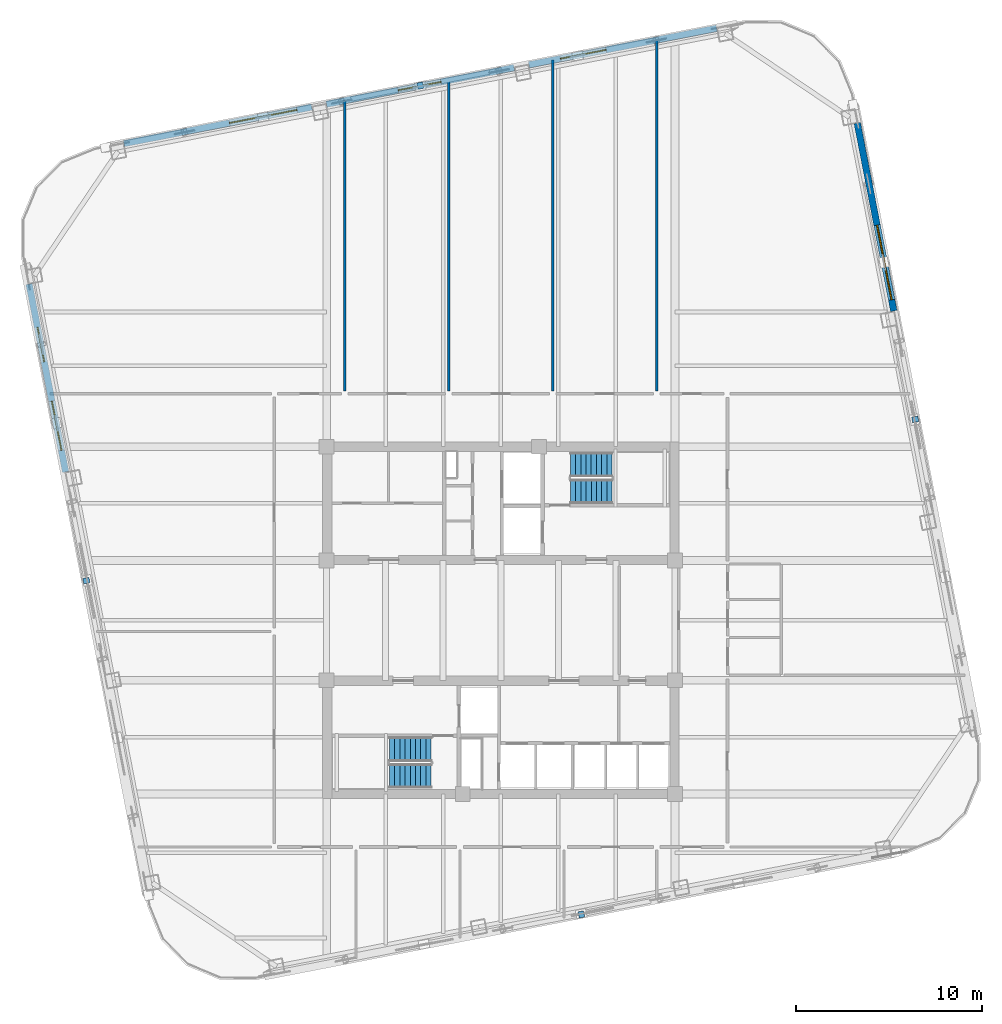
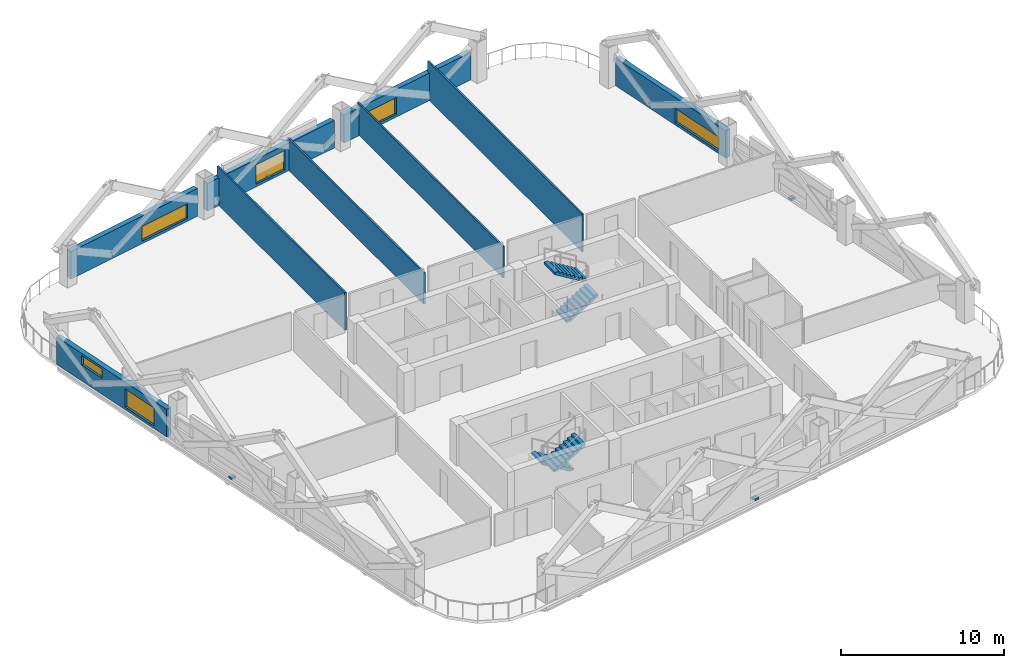
# One storey, part 7 of 10: 9 walls, 6 windows, 4 discrete accessories, 4 stair flights, 6 openings, 2 elements without a shape of their own.
"""IFC4 building model written with IfcOpenShell, lengths in metres."""

import ifcopenshell
import ifcopenshell.guid

model = None  # the IFC model being written
_history = None  # IfcOwnerHistory: only IFC2X3 demands one
_inside = {}  # id of a spatial element -> (the spatial element, [elements in it])
_under = {}  # id of a project, library or spatial element -> (it, [spatial elements below it])
_declared = {}  # id of a project -> (the project, [libraries it declares])
_typed = {}  # id of a type object -> (the type object, [elements of that type])
_made_of = {}  # id of a material, layer set ... -> (it, [elements and type objects made of it])


def new_model(schema):
    """Start an empty IFC model of exactly this schema.

    Asked for "IFC4X3", IfcOpenShell would pick the latest addendum, in which some entities
    have other attributes; the version numbers below select the first issue.
    IFC2X3 requires an IfcOwnerHistory on every rooted entity: one is made here for all.
    """
    global model, _history
    if schema == "IFC4X3":
        model = ifcopenshell.file(schema_version=(4, 3, 0, 0))
    else:
        model = ifcopenshell.file(schema=schema)
    _inside.clear()
    _under.clear()
    _declared.clear()
    _typed.clear()
    _made_of.clear()
    _history = None
    if model.schema == "IFC2X3":
        org = make("IfcOrganization", Name="unknown")
        user = make(
            "IfcPersonAndOrganization",
            ThePerson=make("IfcPerson", FamilyName="unknown"),
            TheOrganization=org,
        )
        app = make(
            "IfcApplication",
            ApplicationDeveloper=org,
            Version="unknown",
            ApplicationFullName="unknown",
            ApplicationIdentifier="unknown",
        )
        _history = make(
            "IfcOwnerHistory",
            OwningUser=user,
            OwningApplication=app,
            ChangeAction="ADDED",
            CreationDate=0,
        )
    return model


def make(cls, **values):
    """One entity of the class cls with the attributes given. An attribute that is None is left unset."""
    return model.create_entity(
        cls, **{name: value for name, value in values.items() if value is not None}
    )


def rooted(cls, **values):
    """An entity with a GlobalId (a new one), such as an element, a storey or a relation."""
    return make(cls, GlobalId=ifcopenshell.guid.new(), OwnerHistory=_history, **values)


def si_unit(unit_type, name, prefix=None):
    """IfcSIUnit, for example si_unit("LENGTHUNIT", "METRE", prefix="MILLI")."""
    return make("IfcSIUnit", UnitType=unit_type, Prefix=prefix, Name=name)


def assignment(units):
    """IfcUnitAssignment: the units of a project."""
    return None if units is None else make("IfcUnitAssignment", Units=units)


def point(xyz):
    """IfcCartesianPoint."""
    return None if xyz is None else make("IfcCartesianPoint", Coordinates=xyz)


def direction(xyz):
    """IfcDirection."""
    return None if xyz is None else make("IfcDirection", DirectionRatios=xyz)


def frame(location, z_axis=None, x_axis=None):
    """IfcAxis2Placement3D, a coordinate frame: its origin and axes. An axis left out is left unset."""
    return make(
        "IfcAxis2Placement3D",
        Location=point(location),
        Axis=direction(z_axis),
        RefDirection=direction(x_axis),
    )


def frame_2d(location, x_axis=None):
    """IfcAxis2Placement2D, a coordinate frame in the plane: its origin and x axis."""
    return make(
        "IfcAxis2Placement2D", Location=point(location), RefDirection=direction(x_axis)
    )


def origin():
    """The frame at (0, 0, 0) with its axes left unset."""
    return frame((0.0, 0.0, 0.0))


def origin_2d():
    """The frame at (0, 0) in the plane with its x axis left unset."""
    return frame_2d((0.0, 0.0))


def place(relative_to, where):
    """IfcLocalPlacement: puts the frame where relative to a parent placement (None: the world)."""
    return make(
        "IfcLocalPlacement", PlacementRelTo=relative_to, RelativePlacement=where
    )


def context(
    kind, dimensions, precision=None, world=None, true_north=None, identifier=None
):
    """IfcGeometricRepresentationContext, for example the 3D "Model" context."""
    return make(
        "IfcGeometricRepresentationContext",
        ContextIdentifier=identifier,
        ContextType=kind,
        CoordinateSpaceDimension=dimensions,
        Precision=precision,
        WorldCoordinateSystem=world,
        TrueNorth=true_north,
    )


def subcontext(parent, identifier, kind, view, scale=None):
    """IfcGeometricRepresentationSubContext, for example "Body" below "Model"."""
    return make(
        "IfcGeometricRepresentationSubContext",
        ContextIdentifier=identifier,
        ContextType=kind,
        ParentContext=parent,
        TargetScale=scale,
        TargetView=view,
    )


def project(units=None, contexts=None):
    """IfcProject with its units and contexts."""
    return rooted(
        "IfcProject",
        Name="project",
        RepresentationContexts=contexts,
        UnitsInContext=assignment(units),
    )


def spatial(cls, under=None, at=None, **own):
    """A site, building, storey or space (cls), placed at a placement, below another one or the project."""
    s = rooted(cls, ObjectPlacement=at, **own)
    if under is not None:
        _under.setdefault(under.id(), (under, []))[1].append(s)
    return s


def polyline(points):
    """IfcPolyline through the points."""
    return make("IfcPolyline", Points=[point(p) for p in points])


def profile(cls, at=None, kind="AREA", **sizes):
    """A parametric profile (cls). Its sizes go by their IFC names, for example OverallWidth=200.0."""
    return make(cls, ProfileType=kind, Position=at, **sizes)


def rectangle(**sizes):
    """IfcRectangleProfileDef."""
    return profile("IfcRectangleProfileDef", **sizes)


def outline(outer, holes=None, kind="AREA"):
    """IfcArbitraryClosedProfileDef: a profile drawn as a closed curve; with holes, ...WithVoids."""
    if holes is None:
        return make("IfcArbitraryClosedProfileDef", ProfileType=kind, OuterCurve=outer)
    return make(
        "IfcArbitraryProfileDefWithVoids",
        ProfileType=kind,
        OuterCurve=outer,
        InnerCurves=holes,
    )


def extrude(swept, where, along, depth):
    """IfcExtrudedAreaSolid: the profile swept, set in the frame where, extruded along a direction by depth."""
    return make(
        "IfcExtrudedAreaSolid",
        SweptArea=swept,
        Position=where,
        ExtrudedDirection=direction(along),
        Depth=depth,
    )


def shape(context_of_items, identifier, shape_type, items):
    """IfcShapeRepresentation: the items that make up one representation, for example the "Body"."""
    return make(
        "IfcShapeRepresentation",
        ContextOfItems=context_of_items,
        RepresentationIdentifier=identifier,
        RepresentationType=shape_type,
        Items=items,
    )


def material(Name=None, Category=None):
    """IfcMaterial."""
    return make("IfcMaterial", Name=Name, Category=Category)


def layer(
    of_material, thickness, ventilated=None, Name=None, Category=None, Priority=None
):
    """IfcMaterialLayer: one layer of a wall or slab, of a material (None: an air gap)."""
    return make(
        "IfcMaterialLayer",
        Material=of_material,
        LayerThickness=thickness,
        IsVentilated=ventilated,
        Name=Name,
        Category=Category,
        Priority=Priority,
    )


def layer_set(layers, Name=None):
    """IfcMaterialLayerSet."""
    return make("IfcMaterialLayerSet", MaterialLayers=layers, LayerSetName=Name)


def made_of(thing, what):
    """Note that an element or type object is made of a material, layer set ...; save() writes the relation."""
    if what is not None:
        _made_of.setdefault(what.id(), (what, []))[1].append(thing)
    return thing


def type_object(cls, material=None, **own):
    """A type object (cls), such as IfcWallType, which elements share."""
    return made_of(rooted(cls, **own), material)


def element(
    cls,
    number,
    at=None,
    inside=None,
    cuts=None,
    type_object=None,
    material=None,
    context=None,
    identifier="Body",
    shape_type=None,
    held_by="IfcProductDefinitionShape",
    body=None,
    shapes=None,
    **own,
):
    """One element of the class cls, such as IfcWall. Its Tag is "e" and its number.

    at: its placement. inside: the storey or other place that contains it. cuts: it is an
    opening in that element (IfcRelVoidsElement). A single representation is given by context,
    identifier, shape_type and body (its items); several are given by shapes. held_by: the class
    of the entity that holds the representations. save() writes the other relations.
    """
    e = rooted(cls, Tag="e%d" % number, ObjectPlacement=at, **own)
    if body is not None:
        shapes = [shape(context, identifier, shape_type, body)]
    if shapes is not None:
        e.Representation = make(held_by, Representations=shapes)
    if inside is not None:
        _inside.setdefault(inside.id(), (inside, []))[1].append(e)
    if cuts is not None:
        rooted(
            "IfcRelVoidsElement", RelatingBuildingElement=cuts, RelatedOpeningElement=e
        )
    if type_object is not None:
        _typed.setdefault(type_object.id(), (type_object, []))[1].append(e)
    return made_of(e, material)


def fill(opening, filler):
    """IfcRelFillsElement: the door or window that sits in an opening."""
    return rooted(
        "IfcRelFillsElement",
        RelatingOpeningElement=opening,
        RelatedBuildingElement=filler,
    )


def aggregate(whole, parts):
    """IfcRelAggregates: a whole, such as a stair, and the parts it consists of."""
    return rooted("IfcRelAggregates", RelatingObject=whole, RelatedObjects=parts)


def save(model, path):
    """Write the relations noted so far, then the file.

    IfcRelAggregates (storeys below a building ...), IfcRelContainedInSpatialStructure (elements
    in a storey), IfcRelDefinesByType, IfcRelAssociatesMaterial and IfcRelDeclares: one each for
    every whole, place, type object, material and project.
    """
    for whole, parts in _under.values():
        aggregate(whole, parts)
    for where, things in _inside.values():
        rooted(
            "IfcRelContainedInSpatialStructure",
            RelatedElements=things,
            RelatingStructure=where,
        )
    for kind, things in _typed.values():
        rooted("IfcRelDefinesByType", RelatedObjects=things, RelatingType=kind)
    for what, things in _made_of.values():
        rooted("IfcRelAssociatesMaterial", RelatedObjects=things, RelatingMaterial=what)
    for by, libraries in _declared.values():
        rooted("IfcRelDeclares", RelatingContext=by, RelatedDefinitions=libraries)
    model.write(path)


model = new_model("IFC4")

# Units and contexts
model_context = context("Model", 3, precision=1e-05, world=origin(), true_north=direction((0.0, 1.0)))
body_context = subcontext(model_context, "Body", "Model", "MODEL_VIEW")
ifc_project = project(units=[si_unit("LENGTHUNIT", "METRE"), si_unit("AREAUNIT", "SQUARE_METRE"), si_unit("VOLUMEUNIT", "CUBIC_METRE"), si_unit("PLANEANGLEUNIT", "RADIAN"), si_unit("MASSUNIT", "GRAM", prefix="KILO")], contexts=[model_context])

# Site, building, storey
site_placement = place(None, origin())
site = spatial("IfcSite", under=ifc_project, at=site_placement, CompositionType="ELEMENT")
building_placement = place(site_placement, origin())
building = spatial("IfcBuilding", under=site, at=building_placement, Name="Qhalaya Broadcast Tower", CompositionType="ELEMENT")
storey_placement = place(building_placement, frame((0.0, 0.0, 125.0)))
storey = spatial("IfcBuildingStorey", under=building, at=storey_placement, Name="L36", CompositionType="ELEMENT", Elevation=125.0)

# Wall, opening, window
ifc_material_1 = material(Name="Precast Concrete C40/50", Category="concrete")
ifc_layer_1 = layer(ifc_material_1, 0.360107421875, Name="Precast Concrete C40/50")
ifc_layer_set_1 = layer_set([ifc_layer_1], Name="Precast Concrete C40/50")
wall_type_1 = type_object("IfcWallType", Name="Insulated Precast Terracotta Exterior Wall 360", PredefinedType="SOLIDWALL", material=ifc_layer_set_1)
wall_1_placement = place(storey_placement, frame((19.189697265625, 27.37646484375, 0.0), z_axis=(0.0, 0.0, 1.0), x_axis=(0.190822765986, -0.981624506612, 0.0)))
wall_1 = element("IfcWall", 1, at=wall_1_placement, inside=storey, type_object=wall_type_1, Name="L36 Exoskeleton Diagrid Infill Wall E1", PredefinedType="SOLIDWALL", context=body_context, shape_type="SweptSolid", body=[
    extrude(rectangle(XDim=10.31201171875, YDim=0.360107421875, at=frame_2d((5.156005859375, 0.0))), origin(), (0.0, 0.0, 1.0), 2.06689453125),
])
opening_1_placement = place(wall_1_placement, frame((5.60009765625, 0.0, 0.199951171875)))
opening_1 = element("IfcOpeningElement", 2, at=opening_1_placement, cuts=wall_1, Name="Opening W11", PredefinedType="OPENING", context=body_context, shape_type="SweptSolid", body=[
    extrude(rectangle(XDim=4.10009765625, YDim=1.050048828125, at=frame_2d((2.050048828125, 0.52490234375))), frame((0.0, 0.192138671875, 0.0), z_axis=(0.0, -1.0, 0.0), x_axis=(1.0, 0.0, 0.0)), (0.0, 0.0, 1.0), 0.384033203125),
])
ifc_material_2 = material(Name="Solar-Control Low-E Triple Glazing", Category="glass")
window_type = type_object("IfcWindowType", Name="Odd-Block Diagrid Infill Window W11", PartitioningType="SINGLE_PANEL", PredefinedType="WINDOW", material=ifc_material_2)
window_1_placement = place(opening_1_placement, origin())
window_1 = element("IfcWindow", 3, at=window_1_placement, inside=storey, type_object=window_type, Name="L36 Diagrid Infill Window W11-E1", OverallHeight=1.050048828125, OverallWidth=4.10009765625, PartitioningType="SINGLE_PANEL", PredefinedType="WINDOW", context=body_context, shape_type="SweptSolid", body=[
    extrude(rectangle(XDim=4.10009765625, YDim=1.050048828125, at=frame_2d((2.050048828125, 0.52490234375))), frame((0.0, 0.030029296875, 0.0), z_axis=(0.0, -1.0, 0.0), x_axis=(1.0, 0.0, 0.0)), (0.0, 0.0, 1.0), 0.06005859375),
])
fill(opening_1, window_1)

wall_2_placement = place(storey_placement, frame((-20.29638671875, 26.269775390625, 0.0), z_axis=(0.0, 0.0, 1.0), x_axis=(0.981628941133, 0.190799952646, 0.0)))
wall_2 = element("IfcWall", 4, at=wall_2_placement, inside=storey, type_object=wall_type_1, Name="L36 Exoskeleton Diagrid Infill Wall N1", PredefinedType="SOLIDWALL", context=body_context, shape_type="SweptSolid", body=[
    extrude(rectangle(XDim=10.31201171875, YDim=0.360107421875, at=frame_2d((5.156005859375, 0.0))), origin(), (0.0, 0.0, 1.0), 2.06689453125),
])
opening_2_placement = place(wall_2_placement, frame((5.800048828125, 0.0, 0.199951171875)))
opening_2 = element("IfcOpeningElement", 5, at=opening_2_placement, cuts=wall_2, Name="Opening W11", PredefinedType="OPENING", context=body_context, shape_type="SweptSolid", body=[
    extrude(rectangle(XDim=3.699951171875, YDim=1.10009765625, at=frame_2d((1.85009765625, 0.550048828125))), frame((0.0, 0.192138671875, 0.0), z_axis=(0.0, -1.0, 0.0), x_axis=(1.0, 0.0, 0.0)), (0.0, 0.0, 1.0), 0.384033203125),
])
window_2_placement = place(opening_2_placement, origin())
window_2 = element("IfcWindow", 6, at=window_2_placement, inside=storey, type_object=window_type, Name="L36 Diagrid Infill Window W11-N1", OverallHeight=1.10009765625, OverallWidth=3.699951171875, PartitioningType="SINGLE_PANEL", PredefinedType="WINDOW", context=body_context, shape_type="SweptSolid", body=[
    extrude(rectangle(XDim=3.699951171875, YDim=1.10009765625, at=frame_2d((1.85009765625, 0.550048828125))), frame((0.0, 0.030029296875, 0.0), z_axis=(0.0, -1.0, 0.0), x_axis=(1.0, 0.0, 0.0)), (0.0, 0.0, 1.0), 0.06005859375),
])
fill(opening_2, window_2)

wall_3_placement = place(storey_placement, frame((-9.388671875, 28.39013671875, 0.0), z_axis=(0.0, 0.0, 1.0), x_axis=(0.981627477005, 0.190807485147, 0.0)))
wall_3 = element("IfcWall", 7, at=wall_3_placement, inside=storey, type_object=wall_type_1, Name="L36 Exoskeleton Diagrid Infill Wall N2", PredefinedType="SOLIDWALL", context=body_context, shape_type="SweptSolid", body=[
    extrude(rectangle(XDim=10.300048828125, YDim=0.360107421875, at=frame_2d((5.14990234375, 0.0))), origin(), (0.0, 0.0, 1.0), 2.06689453125),
])
opening_3_placement = place(wall_3_placement, frame((3.93798828125, 0.0, 0.199951171875)))
opening_3 = element("IfcOpeningElement", 8, at=opening_3_placement, cuts=wall_3, Name="Opening W11", PredefinedType="OPENING", context=body_context, shape_type="SweptSolid", body=[
    extrude(rectangle(XDim=2.35009765625, YDim=1.449951171875, at=frame_2d((1.175048828125, 0.72509765625))), frame((0.0, 0.192138671875, 0.0), z_axis=(0.0, -1.0, 0.0), x_axis=(1.0, 0.0, 0.0)), (0.0, 0.0, 1.0), 0.384033203125),
])
window_3_placement = place(opening_3_placement, origin())
window_3 = element("IfcWindow", 9, at=window_3_placement, inside=storey, type_object=window_type, Name="L36 Diagrid Infill Window W11-N2", OverallHeight=1.449951171875, OverallWidth=2.35009765625, PartitioningType="SINGLE_PANEL", PredefinedType="WINDOW", context=body_context, shape_type="SweptSolid", body=[
    extrude(rectangle(XDim=2.35009765625, YDim=1.449951171875, at=frame_2d((1.175048828125, 0.72509765625))), frame((0.0, 0.030029296875, 0.0), z_axis=(0.0, -1.0, 0.0), x_axis=(1.0, 0.0, 0.0)), (0.0, 0.0, 1.0), 0.06005859375),
])
fill(opening_3, window_3)

wall_4_placement = place(storey_placement, frame((1.50732421875, 30.508056640625, 0.0), z_axis=(0.0, 0.0, 1.0), x_axis=(0.981628941133, 0.190799952646, 0.0)))
wall_4 = element("IfcWall", 10, at=wall_4_placement, inside=storey, type_object=wall_type_1, Name="L36 Exoskeleton Diagrid Infill Wall N3", PredefinedType="SOLIDWALL", context=body_context, shape_type="SweptSolid", body=[
    extrude(rectangle(XDim=10.31201171875, YDim=0.360107421875, at=frame_2d((5.156005859375, 0.0))), origin(), (0.0, 0.0, 1.0), 2.06689453125),
])
opening_4_placement = place(wall_4_placement, frame((1.738037109375, 0.0, 0.199951171875)))
opening_4 = element("IfcOpeningElement", 11, at=opening_4_placement, cuts=wall_4, Name="Opening W11", PredefinedType="OPENING", context=body_context, shape_type="SweptSolid", body=[
    extrude(rectangle(XDim=2.5, YDim=1.25, at=frame_2d((1.25, 0.625))), frame((0.0, 0.192138671875, 0.0), z_axis=(0.0, -1.0, 0.0), x_axis=(1.0, 0.0, 0.0)), (0.0, 0.0, 1.0), 0.384033203125),
])
window_4_placement = place(opening_4_placement, origin())
window_4 = element("IfcWindow", 12, at=window_4_placement, inside=storey, type_object=window_type, Name="L36 Diagrid Infill Window W11-N3", OverallHeight=1.25, OverallWidth=2.5, PartitioningType="SINGLE_PANEL", PredefinedType="WINDOW", context=body_context, shape_type="SweptSolid", body=[
    extrude(rectangle(XDim=2.5, YDim=1.25, at=frame_2d((1.25, 0.625))), frame((0.0, 0.030029296875, 0.0), z_axis=(0.0, -1.0, 0.0), x_axis=(1.0, 0.0, 0.0)), (0.0, 0.0, 1.0), 0.06005859375),
])
fill(opening_4, window_4)

# Wall, openings, windows
wall_5_placement = place(storey_placement, frame((-23.427978515625, 8.58740234375, 0.0), z_axis=(0.0, 0.0, 1.0), x_axis=(-0.190822765986, 0.981624506612, 0.0)))
wall_5 = element("IfcWall", 13, at=wall_5_placement, inside=storey, type_object=wall_type_1, Name="L36 Exoskeleton Diagrid Infill Wall W3", PredefinedType="SOLIDWALL", context=body_context, shape_type="SweptSolid", body=[
    extrude(rectangle(XDim=10.31201171875, YDim=0.360107421875, at=frame_2d((5.156005859375, 0.0))), origin(), (0.0, 0.0, 1.0), 2.06689453125),
])
opening_5_placement = place(wall_5_placement, frame((1.18798828125, 0.0, 0.199951171875)))
opening_5 = element("IfcOpeningElement", 14, at=opening_5_placement, cuts=wall_5, Name="Opening W11", PredefinedType="OPENING", context=body_context, shape_type="SweptSolid", body=[
    extrude(rectangle(XDim=2.699951171875, YDim=1.35009765625, at=frame_2d((1.35009765625, 0.675048828125))), frame((0.0, 0.192138671875, 0.0), z_axis=(0.0, -1.0, 0.0), x_axis=(1.0, 0.0, 0.0)), (0.0, 0.0, 1.0), 0.384033203125),
])
opening_6_placement = place(wall_5_placement, frame((6.0380859375, 0.0, 1.199951171875)))
opening_6 = element("IfcOpeningElement", 15, at=opening_6_placement, cuts=wall_5, Name="Opening W11", PredefinedType="OPENING", context=body_context, shape_type="SweptSolid", body=[
    extrude(rectangle(XDim=1.89990234375, YDim=0.699951171875, at=frame_2d((0.949951171875, 0.35009765625))), frame((0.0, 0.192138671875, 0.0), z_axis=(0.0, -1.0, 0.0), x_axis=(1.0, 0.0, 0.0)), (0.0, 0.0, 1.0), 0.384033203125),
])
window_5_placement = place(opening_5_placement, origin())
window_5 = element("IfcWindow", 16, at=window_5_placement, inside=storey, type_object=window_type, Name="L36 Diagrid Infill Window W11-W5", OverallHeight=1.35009765625, OverallWidth=2.699951171875, PartitioningType="SINGLE_PANEL", PredefinedType="WINDOW", context=body_context, shape_type="SweptSolid", body=[
    extrude(rectangle(XDim=2.699951171875, YDim=1.35009765625, at=frame_2d((1.35009765625, 0.675048828125))), frame((0.0, 0.030029296875, 0.0), z_axis=(0.0, -1.0, 0.0), x_axis=(1.0, 0.0, 0.0)), (0.0, 0.0, 1.0), 0.06005859375),
])
fill(opening_5, window_5)
window_6_placement = place(opening_6_placement, origin())
window_6 = element("IfcWindow", 17, at=window_6_placement, inside=storey, type_object=window_type, Name="L36 Diagrid Infill Window W11-W6", OverallHeight=0.699951171875, OverallWidth=1.89990234375, PartitioningType="SINGLE_PANEL", PredefinedType="WINDOW", context=body_context, shape_type="SweptSolid", body=[
    extrude(rectangle(XDim=1.89990234375, YDim=0.699951171875, at=frame_2d((0.949951171875, 0.35009765625))), frame((0.0, 0.030029296875, 0.0), z_axis=(0.0, -1.0, 0.0), x_axis=(1.0, 0.0, 0.0)), (0.0, 0.0, 1.0), 0.06005859375),
])
fill(opening_6, window_6)

# Walls
ifc_material_3 = material(Name="Gypsum Acoustic Partition")
ifc_layer_2 = layer(ifc_material_3, 0.1201171875, Name="Gypsum Acoustic Partition")
ifc_layer_set_2 = layer_set([ifc_layer_2], Name="Gypsum Acoustic Partition")
wall_type_2 = type_object("IfcWallType", Name="Office, Booth & Sanitary Partition 120", PredefinedType="PARTITIONING", material=ifc_layer_set_2)
wall_6_placement = place(storey_placement, frame((-8.39990234375, 12.9599609375, 0.0), z_axis=(0.0, 0.0, 1.0), x_axis=(0.0, 1.0, 0.0)))
element("IfcWall", 18, at=wall_6_placement, inside=storey, type_object=wall_type_2, Name="L36 Partition Wall W-DIVN1", PredefinedType="PARTITIONING", context=body_context, shape_type="SweptSolid", body=[
    extrude(rectangle(XDim=15.642578125, YDim=0.1201171875, at=frame_2d((7.8212890625, 0.0))), origin(), (0.0, 0.0, 1.0), 2.830078125),
])
wall_7_placement = place(storey_placement, frame((-2.800048828125, 12.9599609375, 0.0), z_axis=(0.0, 0.0, 1.0), x_axis=(0.0, 1.0, 0.0)))
element("IfcWall", 19, at=wall_7_placement, inside=storey, type_object=wall_type_2, Name="L36 Partition Wall W-DIVN2", PredefinedType="PARTITIONING", context=body_context, shape_type="SweptSolid", body=[
    extrude(rectangle(XDim=16.731201171875, YDim=0.1201171875, at=frame_2d((8.36572265625, 0.0))), origin(), (0.0, 0.0, 1.0), 2.346923828125),
])
wall_8_placement = place(storey_placement, frame((2.800048828125, 12.9599609375, 0.0), z_axis=(0.0, 0.0, 1.0), x_axis=(0.0, 1.0, 0.0)))
element("IfcWall", 20, at=wall_8_placement, inside=storey, type_object=wall_type_2, Name="L36 Partition Wall W-DIVN3", PredefinedType="PARTITIONING", context=body_context, shape_type="SweptSolid", body=[
    extrude(rectangle(XDim=17.81982421875, YDim=0.1201171875, at=frame_2d((8.909912109375, 0.0))), origin(), (0.0, 0.0, 1.0), 2.346923828125),
])
wall_9_placement = place(storey_placement, frame((8.39990234375, 12.9599609375, 0.0), z_axis=(0.0, 0.0, 1.0), x_axis=(0.0, 1.0, 0.0)))
element("IfcWall", 21, at=wall_9_placement, inside=storey, type_object=wall_type_2, Name="L36 Partition Wall W-DIVN4", PredefinedType="PARTITIONING", context=body_context, shape_type="SweptSolid", body=[
    extrude(rectangle(XDim=18.908203125, YDim=0.1201171875, at=frame_2d((9.4541015625, 0.0))), origin(), (0.0, 0.0, 1.0), 2.830078125),
])

# Stair, stair flights
ifc_material_4 = material(Name="Concrete C40/50", Category="concrete")
stair_type = type_object("IfcStairType", Name="Protected Dogleg Core Stair 3150", PredefinedType="TWO_STRAIGHT_RUN_STAIR", material=ifc_material_4)
stair_1_placement = place(storey_placement, origin())
stair_1 = element("IfcStair", 22, at=stair_1_placement, inside=storey, type_object=stair_type, Name="L36 North Core Exit Stair ST-1", PredefinedType="TWO_STRAIGHT_RUN_STAIR")
stair_flight_type = type_object("IfcStairFlightType", Name="Precast Concrete Stair Flight 3150", PredefinedType="STRAIGHT", material=ifc_material_1)
stair_flight_1_placement = place(storey_placement, frame((3.75, 7.5400390625, 0.0), z_axis=(0.0, 0.0, 1.0), x_axis=(1.0, 0.0, 0.0)))
stair_flight_1 = element("IfcStairFlight", 23, at=stair_flight_1_placement, type_object=stair_flight_type, Name="ST-1 flight 1", NumberOfRisers=9, NumberOfTreads=8, PredefinedType="STRAIGHT", RiserHeight=0.169444444, TreadLength=0.28, context=body_context, shape_type="SweptSolid", body=[
    extrude(outline(polyline([(0.0, 0.0), (0.0, 0.16943359375), (0.280029296875, 0.16943359375), (0.280029296875, 0.3388671875), (0.56005859375, 0.3388671875), (0.56005859375, 0.50830078125), (0.840087890625, 0.50830078125), (0.840087890625, 0.677734375), (1.1201171875, 0.677734375), (1.1201171875, 0.84716796875), (1.39990234375, 0.84716796875), (1.39990234375, 1.0166015625), (1.679931640625, 1.0166015625), (1.679931640625, 1.18603515625), (1.9599609375, 1.18603515625), (1.9599609375, 1.35546875), (2.239990234375, 1.35546875), (2.239990234375, 1.52490234375), (2.239990234375, 1.180419921875), (0.28955078125, 0.0), (0.0, 0.0)])), frame((0.0, 0.66015625, 0.0), z_axis=(0.0, -1.0, 0.0), x_axis=(1.0, 0.0, 0.0)), (0.0, 0.0, 1.0), 1.320068359375),
])
stair_flight_2_placement = place(storey_placement, frame((5.989990234375, 8.97998046875, 1.52490234375), z_axis=(0.0, 0.0, 1.0), x_axis=(-1.0, 0.0, 0.0)))
stair_flight_2 = element("IfcStairFlight", 24, at=stair_flight_2_placement, type_object=stair_flight_type, Name="ST-1 flight 2", NumberOfRisers=9, NumberOfTreads=8, PredefinedType="STRAIGHT", RiserHeight=0.169444444, TreadLength=0.28, context=body_context, shape_type="SweptSolid", body=[
    extrude(outline(polyline([(0.0, 0.0), (0.0, 0.16943359375), (0.280029296875, 0.16943359375), (0.280029296875, 0.3388671875), (0.56005859375, 0.3388671875), (0.56005859375, 0.50830078125), (0.840087890625, 0.50830078125), (0.840087890625, 0.677734375), (1.1201171875, 0.677734375), (1.1201171875, 0.84716796875), (1.39990234375, 0.84716796875), (1.39990234375, 1.0166015625), (1.679931640625, 1.0166015625), (1.679931640625, 1.18603515625), (1.9599609375, 1.18603515625), (1.9599609375, 1.35546875), (2.239990234375, 1.35546875), (2.239990234375, 1.52490234375), (2.239990234375, 1.180419921875), (0.28955078125, 0.0), (0.0, 0.0)])), frame((0.0, 0.66015625, 0.0), z_axis=(0.0, -1.0, 0.0), x_axis=(1.0, 0.0, 0.0)), (0.0, 0.0, 1.0), 1.320068359375),
])
aggregate(stair_1, [stair_flight_1, stair_flight_2])

stair_2_placement = place(storey_placement, origin())
stair_2 = element("IfcStair", 25, at=stair_2_placement, inside=storey, type_object=stair_type, Name="L36 South Core Exit Stair ST-2", PredefinedType="TWO_STRAIGHT_RUN_STAIR")
stair_flight_3_placement = place(storey_placement, frame((-3.75, -6.340087890625, 0.0), z_axis=(0.0, 0.0, 1.0), x_axis=(-1.0, 0.0, 0.0)))
stair_flight_3 = element("IfcStairFlight", 26, at=stair_flight_3_placement, type_object=stair_flight_type, Name="ST-2 flight 1", NumberOfRisers=9, NumberOfTreads=8, PredefinedType="STRAIGHT", RiserHeight=0.169444444, TreadLength=0.28, context=body_context, shape_type="SweptSolid", body=[
    extrude(outline(polyline([(0.0, 0.0), (0.0, 0.16943359375), (0.280029296875, 0.16943359375), (0.280029296875, 0.3388671875), (0.56005859375, 0.3388671875), (0.56005859375, 0.50830078125), (0.840087890625, 0.50830078125), (0.840087890625, 0.677734375), (1.1201171875, 0.677734375), (1.1201171875, 0.84716796875), (1.39990234375, 0.84716796875), (1.39990234375, 1.0166015625), (1.679931640625, 1.0166015625), (1.679931640625, 1.18603515625), (1.9599609375, 1.18603515625), (1.9599609375, 1.35546875), (2.239990234375, 1.35546875), (2.239990234375, 1.52490234375), (2.239990234375, 1.180419921875), (0.28955078125, 0.0), (0.0, 0.0)])), frame((0.0, 0.66015625, 0.0), z_axis=(0.0, -1.0, 0.0), x_axis=(1.0, 0.0, 0.0)), (0.0, 0.0, 1.0), 1.320068359375),
])
stair_flight_4_placement = place(storey_placement, frame((-5.989990234375, -7.780029296875, 1.52490234375), z_axis=(0.0, 0.0, 1.0), x_axis=(1.0, 0.0, 0.0)))
stair_flight_4 = element("IfcStairFlight", 27, at=stair_flight_4_placement, type_object=stair_flight_type, Name="ST-2 flight 2", NumberOfRisers=9, NumberOfTreads=8, PredefinedType="STRAIGHT", RiserHeight=0.169444444, TreadLength=0.28, context=body_context, shape_type="SweptSolid", body=[
    extrude(outline(polyline([(0.0, 0.0), (0.0, 0.16943359375), (0.280029296875, 0.16943359375), (0.280029296875, 0.3388671875), (0.56005859375, 0.3388671875), (0.56005859375, 0.50830078125), (0.840087890625, 0.50830078125), (0.840087890625, 0.677734375), (1.1201171875, 0.677734375), (1.1201171875, 0.84716796875), (1.39990234375, 0.84716796875), (1.39990234375, 1.0166015625), (1.679931640625, 1.0166015625), (1.679931640625, 1.18603515625), (1.9599609375, 1.18603515625), (1.9599609375, 1.35546875), (2.239990234375, 1.35546875), (2.239990234375, 1.52490234375), (2.239990234375, 1.180419921875), (0.28955078125, 0.0), (0.0, 0.0)])), frame((0.0, 0.66015625, 0.0), z_axis=(0.0, -1.0, 0.0), x_axis=(1.0, 0.0, 0.0)), (0.0, 0.0, 1.0), 1.320068359375),
])
aggregate(stair_2, [stair_flight_3, stair_flight_4])

# Discrete accessories
ifc_material_5 = material(Name="Structural Steel ASTM A572 Grade 50", Category="steel")
discrete_accessory_type = type_object("IfcDiscreteAccessoryType", Name="Facade Baguette Support Bracket BRK-01", PredefinedType="BRACKET", material=ifc_material_5)
for number, where, z_axis, x_axis, name in (
    (28, (4.337158203125, -15.232421875, 0.0), (0.0, 0.0, 1.0), (0.981627183448, 0.190808995377, 0.0), "L36 Baguette Support Bracket S"),
    (29, (22.3125, 11.4169921875, 0.0), (0.0, 0.0, 1.0), (-0.190808995377, 0.981627183448, 0.0), "L36 Baguette Support Bracket E"),
    (30, (-4.337158203125, 29.392333984375, 0.0), (0.0, 0.0, 1.0), (-0.981627183448, -0.190808995377, 0.0), "L36 Baguette Support Bracket N"),
    (31, (-22.3125, 2.742919921875, 0.0), (0.0, 0.0, 1.0), (0.190808995377, -0.981627183448, 0.0), "L36 Baguette Support Bracket W"),
):
    element("IfcDiscreteAccessory", number, at=place(storey_placement, frame(where, z_axis=z_axis, x_axis=x_axis)), inside=storey, type_object=discrete_accessory_type, Name=name, PredefinedType="BRACKET", context=body_context, shape_type="SweptSolid", body=[
        extrude(rectangle(XDim=0.300048828125, YDim=0.340087890625, at=origin_2d()), origin(), (0.0, 0.0, 1.0), 0.159912109375),
    ])

save(model, "model.ifc")
